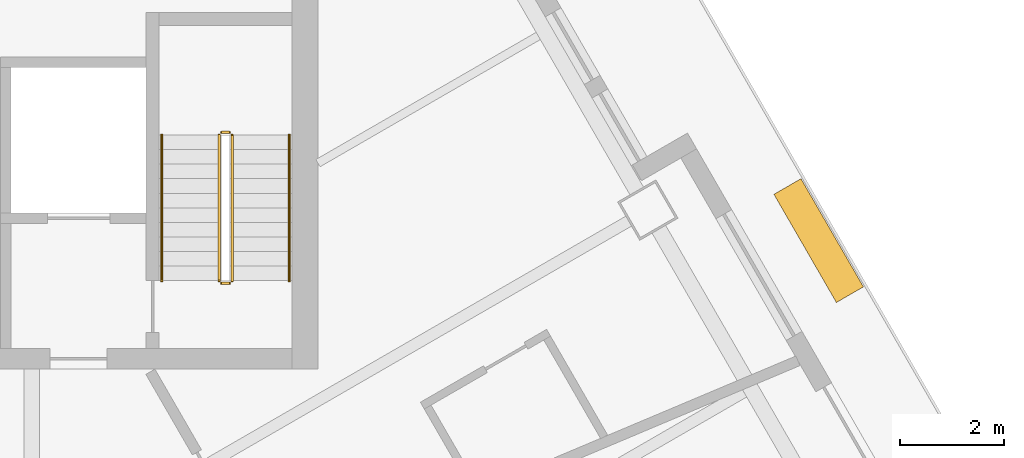
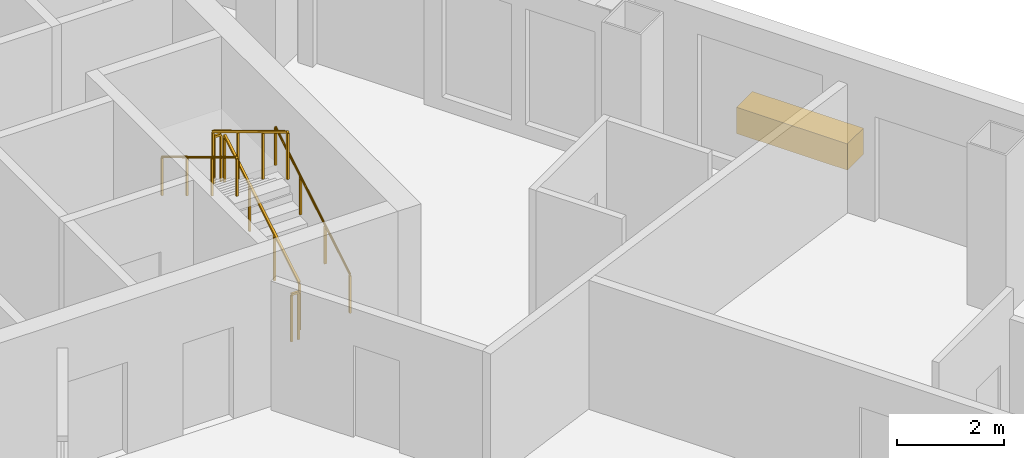
# One storey, part 13 of 13: 6 railings, 1 covering.
"""IFC4 building model written with IfcOpenShell, lengths in metres."""

from ifc_helpers import new_model, si_unit, direction, frame, origin, origin_2d, place, context, subcontext, project, spatial, rectangle, circle, extrude, material, type_object, element, save


model = new_model("IFC4")

# Units and contexts
model_context = context("Model", 3, precision=1e-05, world=origin(), true_north=direction((0.0, 1.0)))
body_context = subcontext(model_context, "Body", "Model", "MODEL_VIEW")
ifc_project = project(units=[si_unit("LENGTHUNIT", "METRE"), si_unit("AREAUNIT", "SQUARE_METRE"), si_unit("VOLUMEUNIT", "CUBIC_METRE"), si_unit("PLANEANGLEUNIT", "RADIAN"), si_unit("MASSUNIT", "GRAM", prefix="KILO")], contexts=[model_context])

# Site, building, storey
site_placement = place(None, origin())
site = spatial("IfcSite", under=ifc_project, at=site_placement, CompositionType="ELEMENT")
building_placement = place(site_placement, origin())
building = spatial("IfcBuilding", under=site, at=building_placement, Name="Apuvela Tower Hotel", CompositionType="ELEMENT")
storey_placement = place(building_placement, frame((0.0, 0.0, 165.10009765625)))
storey = spatial("IfcBuildingStorey", under=building, at=storey_placement, Name="L39", CompositionType="ELEMENT", Elevation=165.10009765625)

# Railings
ifc_material_1 = material(Name="Steel S275 balustrade", Category="steel")
railing_type_1 = type_object("IfcRailingType", Name="COR-GUARD-1100", PredefinedType="GUARDRAIL", material=ifc_material_1)
railing_1_placement = place(storey_placement, frame((3.85009765625, 14.60009765625, 0.16796875)))
element("IfcRailing", 1, at=railing_1_placement, inside=storey, type_object=railing_type_1, Name="L39 ST1 stair guard 1", PredefinedType="GUARDRAIL", context=body_context, shape_type="SweptSolid", body=[
    extrude(rectangle(XDim=0.048095703125, YDim=0.048095703125, at=origin_2d()), frame((0.0, 0.0, 1.076171875), z_axis=(0.0, 0.857222391501, 0.514946377315), x_axis=(-1.0, 0.0, 0.0)), (0.0, 0.0, 1.0), 3.26611328125),
    extrude(rectangle(XDim=0.0419921875, YDim=0.0419921875, at=origin_2d()), origin(), (0.0, 0.0, 1.0), 1.052001953125),
    extrude(rectangle(XDim=0.0419921875, YDim=0.0419921875, at=origin_2d()), frame((0.0, 0.933349609375, 0.560546875)), (0.0, 0.0, 1.0), 1.052001953125),
    extrude(rectangle(XDim=0.0419921875, YDim=0.0419921875, at=origin_2d()), frame((0.0, 1.866455078125, 1.121337890625)), (0.0, 0.0, 1.0), 1.052001953125),
    extrude(rectangle(XDim=0.0419921875, YDim=0.0419921875, at=origin_2d()), frame((0.0, 2.7998046875, 1.681884765625)), (0.0, 0.0, 1.0), 1.052001953125),
])
railing_2_placement = place(storey_placement, frame((3.800048828125, 17.449951171875, 1.849853515625)))
element("IfcRailing", 2, at=railing_2_placement, inside=storey, type_object=railing_type_1, Name="L39 ST1 stair guard 2", PredefinedType="GUARDRAIL", context=body_context, shape_type="SweptSolid", body=[
    extrude(rectangle(XDim=0.048095703125, YDim=0.048095703125, at=origin_2d()), frame((0.0, 0.0, 1.076171875), z_axis=(-1.0, 0.0, 0.0), x_axis=(0.0, -1.0, 0.0)), (0.0, 0.0, 1.0), 0.150146484375),
    extrude(rectangle(XDim=0.0419921875, YDim=0.0419921875, at=origin_2d()), origin(), (0.0, 0.0, 1.0), 1.052001953125),
    extrude(rectangle(XDim=0.0419921875, YDim=0.0419921875, at=origin_2d()), frame((-0.150146484375, 0.0, 0.0)), (0.0, 0.0, 1.0), 1.052001953125),
])
railing_3_placement = place(storey_placement, frame((3.60009765625, 17.39990234375, 2.01806640625)))
element("IfcRailing", 3, at=railing_3_placement, inside=storey, type_object=railing_type_1, Name="L39 ST1 stair guard 3", PredefinedType="GUARDRAIL", context=body_context, shape_type="SweptSolid", body=[
    extrude(rectangle(XDim=0.048095703125, YDim=0.048095703125, at=origin_2d()), frame((0.0, 0.0, 1.076171875), z_axis=(0.0, -0.857222391501, 0.514946377315), x_axis=(1.0, 0.0, 0.0)), (0.0, 0.0, 1.0), 3.26611328125),
    extrude(rectangle(XDim=0.0419921875, YDim=0.0419921875, at=origin_2d()), origin(), (0.0, 0.0, 1.0), 1.052001953125),
    extrude(rectangle(XDim=0.0419921875, YDim=0.0419921875, at=origin_2d()), frame((0.0, -0.933349609375, 0.560546875)), (0.0, 0.0, 1.0), 1.052001953125),
    extrude(rectangle(XDim=0.0419921875, YDim=0.0419921875, at=origin_2d()), frame((0.0, -1.866455078125, 1.121337890625)), (0.0, 0.0, 1.0), 1.052001953125),
    extrude(rectangle(XDim=0.0419921875, YDim=0.0419921875, at=origin_2d()), frame((0.0, -2.7998046875, 1.681884765625)), (0.0, 0.0, 1.0), 1.052001953125),
])
railing_4_placement = place(storey_placement, frame((3.800048828125, 14.550048828125, 0.0)))
element("IfcRailing", 4, at=railing_4_placement, inside=storey, type_object=railing_type_1, Name="L39 ST1 stair guard 4", PredefinedType="GUARDRAIL", context=body_context, shape_type="SweptSolid", body=[
    extrude(rectangle(XDim=0.048095703125, YDim=0.048095703125, at=origin_2d()), frame((0.0, 0.0, 1.076171875), z_axis=(-1.0, 0.0, 0.0), x_axis=(0.0, -1.0, 0.0)), (0.0, 0.0, 1.0), 0.150146484375),
    extrude(rectangle(XDim=0.0419921875, YDim=0.0419921875, at=origin_2d()), origin(), (0.0, 0.0, 1.0), 1.052001953125),
    extrude(rectangle(XDim=0.0419921875, YDim=0.0419921875, at=origin_2d()), frame((-0.150146484375, 0.0, 0.0)), (0.0, 0.0, 1.0), 1.052001953125),
])
ifc_material_2 = material(Name="Stainless steel 316 handrail", Category="steel")
railing_type_2 = type_object("IfcRailingType", Name="COR-HANDRAIL-900", PredefinedType="HANDRAIL", material=ifc_material_2)
railing_5_placement = place(storey_placement, frame((4.949951171875, 14.60009765625, 0.16796875)))
element("IfcRailing", 5, at=railing_5_placement, inside=storey, type_object=railing_type_2, Name="L39 ST1 stair handrail 1", PredefinedType="HANDRAIL", context=body_context, shape_type="SweptSolid", body=[
    extrude(circle(Radius=0.02392578125, at=origin_2d()), frame((0.0, 0.0, 0.8759765625), z_axis=(0.0, 0.857222391501, 0.514946377315), x_axis=(-1.0, 0.0, 0.0)), (0.0, 0.0, 1.0), 3.26611328125),
    extrude(rectangle(XDim=0.0419921875, YDim=0.0419921875, at=origin_2d()), origin(), (0.0, 0.0, 1.0), 0.851806640625),
    extrude(rectangle(XDim=0.0419921875, YDim=0.0419921875, at=origin_2d()), frame((0.0, 0.933349609375, 0.560546875)), (0.0, 0.0, 1.0), 0.851806640625),
    extrude(rectangle(XDim=0.0419921875, YDim=0.0419921875, at=origin_2d()), frame((0.0, 1.866455078125, 1.121337890625)), (0.0, 0.0, 1.0), 0.851806640625),
    extrude(rectangle(XDim=0.0419921875, YDim=0.0419921875, at=origin_2d()), frame((0.0, 2.7998046875, 1.681884765625)), (0.0, 0.0, 1.0), 0.851806640625),
])
railing_6_placement = place(storey_placement, frame((2.5, 17.39990234375, 2.01806640625)))
element("IfcRailing", 6, at=railing_6_placement, inside=storey, type_object=railing_type_2, Name="L39 ST1 stair handrail 2", PredefinedType="HANDRAIL", context=body_context, shape_type="SweptSolid", body=[
    extrude(circle(Radius=0.02392578125, at=origin_2d()), frame((0.0, 0.0, 0.8759765625), z_axis=(0.0, -0.857222391501, 0.514946377315), x_axis=(1.0, 0.0, 0.0)), (0.0, 0.0, 1.0), 3.26611328125),
    extrude(rectangle(XDim=0.0419921875, YDim=0.0419921875, at=origin_2d()), origin(), (0.0, 0.0, 1.0), 0.851806640625),
    extrude(rectangle(XDim=0.0419921875, YDim=0.0419921875, at=origin_2d()), frame((0.0, -0.933349609375, 0.560546875)), (0.0, 0.0, 1.0), 0.851806640625),
    extrude(rectangle(XDim=0.0419921875, YDim=0.0419921875, at=origin_2d()), frame((0.0, -1.866455078125, 1.121337890625)), (0.0, 0.0, 1.0), 0.851806640625),
    extrude(rectangle(XDim=0.0419921875, YDim=0.0419921875, at=origin_2d()), frame((0.0, -2.7998046875, 1.681884765625)), (0.0, 0.0, 1.0), 0.851806640625),
])

# Covering
ifc_material_3 = material(Name="Planting substrate and soil, planted")
covering_type = type_object("IfcCoveringType", Name="ENV-PLANTER-2400x600", PredefinedType="USERDEFINED", material=ifc_material_3)
covering_placement = place(storey_placement, frame((15.12060546875, 15.37060546875, -0.000244140625), z_axis=(0.0, 0.0, 1.0), x_axis=(-0.5, 0.866025403784, 0.0)))
element("IfcCovering", 7, at=covering_placement, inside=storey, type_object=covering_type, Name="Planter NE3", ObjectType="PLANTER", PredefinedType="USERDEFINED", context=body_context, shape_type="SweptSolid", body=[
    extrude(rectangle(XDim=2.39990234375, YDim=0.60009765625, at=origin_2d()), origin(), (0.0, 0.0, 1.0), 0.60009765625),
])

save(model, "model.ifc")
